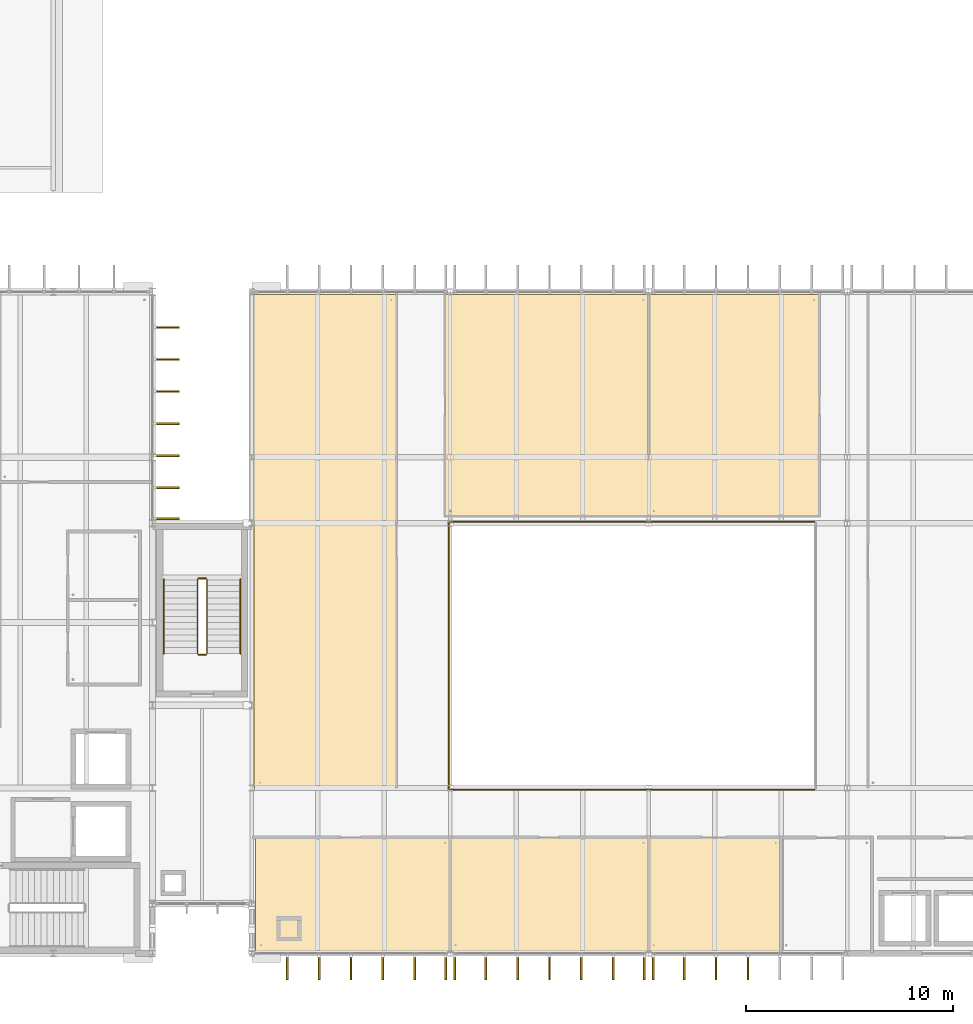
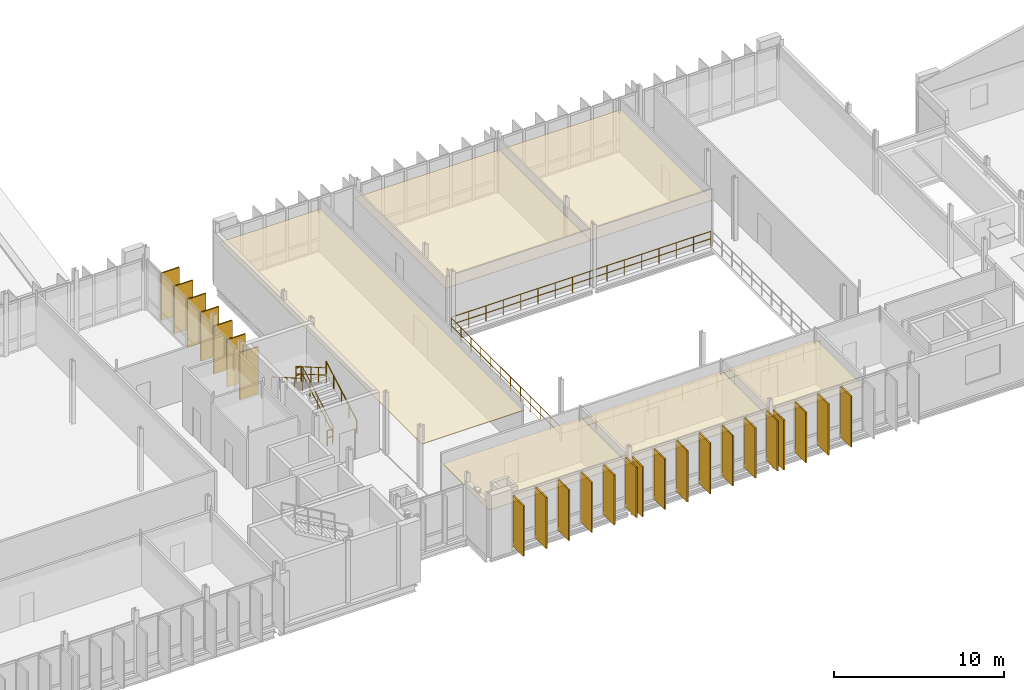
# One storey, part 56 of 59: 30 coverings, 9 railings.
"""IFC4 building model written with IfcOpenShell, lengths in metres."""

from ifc_helpers import new_model, si_unit, direction, frame, origin, origin_2d, place, context, subcontext, project, spatial, polyline, rectangle, circle, outline, extrude, material, layer, layer_set, type_object, element, save


model = new_model("IFC4")

# Units and contexts
model_context = context("Model", 3, precision=1e-05, world=origin(), true_north=direction((0.0, 1.0)))
body_context = subcontext(model_context, "Body", "Model", "MODEL_VIEW")
ifc_project = project(units=[si_unit("LENGTHUNIT", "METRE"), si_unit("AREAUNIT", "SQUARE_METRE"), si_unit("VOLUMEUNIT", "CUBIC_METRE"), si_unit("PLANEANGLEUNIT", "RADIAN"), si_unit("MASSUNIT", "GRAM", prefix="KILO")], contexts=[model_context])

# Site, building, storey
site_placement = place(None, origin())
site = spatial("IfcSite", under=ifc_project, at=site_placement, CompositionType="ELEMENT")
building_placement = place(site_placement, origin())
building = spatial("IfcBuilding", under=site, at=building_placement, Name="Dunescarp Central Library", CompositionType="ELEMENT")
storey_placement = place(building_placement, frame((0.0, 0.0, 18.60009765625)))
storey = spatial("IfcBuildingStorey", under=building, at=storey_placement, Name="L04", CompositionType="ELEMENT", Elevation=18.60009765625)

# Coverings
ifc_material_1 = material(Name="Perforated birch acoustic timber baffle", Category="wood")
ifc_layer_1 = layer(ifc_material_1, 0.050048828125)
ifc_layer_set_1 = layer_set([ifc_layer_1], Name="Perforated birch acoustic timber baffle")
covering_type_1 = type_object("IfcCoveringType", Name="ARC-COV-BAFFLE", PredefinedType="CEILING", material=ifc_layer_set_1)
covering_1_placement = place(storey_placement, frame((0.0, 0.0, 3.0498046875)))
element("IfcCovering", 1, at=covering_1_placement, inside=storey, type_object=covering_type_1, Name="L04 ceiling L04 Periodical Reading Alcove", PredefinedType="CEILING", context=body_context, shape_type="SweptSolid", body=[
    extrude(outline(polyline([(57.580078125, 4.919921875), (64.02001953125, 4.919921875), (64.02001953125, 10.419921875), (57.580078125, 10.419921875), (57.580078125, 4.919921875)])), origin(), (0.0, 0.0, 1.0), 0.050048828125),
])
covering_2_placement = place(storey_placement, frame((0.0, 0.0, 3.0498046875)))
element("IfcCovering", 2, at=covering_2_placement, inside=storey, type_object=covering_type_1, Name="L04 ceiling L04 West Stepped Reading Terrace", PredefinedType="CEILING", context=body_context, shape_type="SweptSolid", body=[
    extrude(outline(polyline([(38.52001953125, 12.780029296875), (45.419921875, 12.780029296875), (45.419921875, 36.679931640625), (38.52001953125, 36.679931640625), (38.52001953125, 12.780029296875)])), origin(), (0.0, 0.0, 1.0), 0.050048828125),
])
ifc_material_2 = material(Name="Mineral-fibre acoustic ceiling tile")
ifc_layer_2 = layer(ifc_material_2, 0.0400390625)
ifc_layer_set_2 = layer_set([ifc_layer_2], Name="Mineral-fibre acoustic ceiling tile")
covering_type_2 = type_object("IfcCoveringType", Name="ARC-COV-CEIL40", PredefinedType="CEILING", material=ifc_layer_set_2)
covering_3_placement = place(storey_placement, frame((0.0, 0.0, 3.0498046875)))
element("IfcCovering", 3, at=covering_3_placement, inside=storey, type_object=covering_type_2, Name="L04 ceiling L04 Group Study Room A", PredefinedType="CEILING", context=body_context, shape_type="SweptSolid", body=[
    extrude(outline(polyline([(38.580078125, 4.919921875), (48.02001953125, 4.919921875), (48.02001953125, 10.419921875), (38.580078125, 10.419921875), (38.580078125, 4.919921875)])), origin(), (0.0, 0.0, 1.0), 0.0400390625),
])
covering_4_placement = place(storey_placement, frame((0.0, 0.0, 3.0498046875)))
element("IfcCovering", 4, at=covering_4_placement, inside=storey, type_object=covering_type_2, Name="L04 ceiling L04 Group Study Room B", PredefinedType="CEILING", context=body_context, shape_type="SweptSolid", body=[
    extrude(outline(polyline([(47.97998046875, 4.919921875), (57.6201171875, 4.919921875), (57.6201171875, 10.419921875), (47.97998046875, 10.419921875), (47.97998046875, 4.919921875)])), origin(), (0.0, 0.0, 1.0), 0.0400390625),
])
covering_5_placement = place(storey_placement, frame((0.0, 0.0, 3.0498046875)))
element("IfcCovering", 5, at=covering_5_placement, inside=storey, type_object=covering_type_2, Name="L04 ceiling L04 North Water-Court Study Lounge West", PredefinedType="CEILING", context=body_context, shape_type="SweptSolid", body=[
    extrude(outline(polyline([(47.72998046875, 25.929931640625), (57.6201171875, 25.929931640625), (57.6201171875, 36.679931640625), (47.72998046875, 36.679931640625), (47.72998046875, 25.929931640625)])), origin(), (0.0, 0.0, 1.0), 0.0400390625),
])
covering_6_placement = place(storey_placement, frame((0.0, 0.0, 3.0498046875)))
element("IfcCovering", 6, at=covering_6_placement, inside=storey, type_object=covering_type_2, Name="L04 ceiling L04 North Water-Court Study Lounge East", PredefinedType="CEILING", context=body_context, shape_type="SweptSolid", body=[
    extrude(outline(polyline([(57.580078125, 25.929931640625), (65.8701171875, 25.929931640625), (65.8701171875, 36.679931640625), (57.580078125, 36.679931640625), (57.580078125, 25.929931640625)])), origin(), (0.0, 0.0, 1.0), 0.0400390625),
])
ifc_material_3 = material(Name="Glass-fibre reinforced concrete GRC", Category="concrete")
ifc_layer_3 = layer(ifc_material_3, 0.090087890625)
ifc_layer_set_3 = layer_set([ifc_layer_3], Name="Glass-fibre reinforced concrete GRC")
covering_type_3 = type_object("IfcCoveringType", Name="ARC-COV-FIN1250", PredefinedType="CLADDING", material=ifc_layer_set_3)
covering_7_placement = place(storey_placement, frame((34.261962890625, 35.074951171875, 0.18017578125), z_axis=(0.0, 0.0, 1.0), x_axis=(1.0, 0.0, 0.0)))
element("IfcCovering", 7, at=covering_7_placement, inside=storey, type_object=covering_type_3, Name="L04 parametric vertical facade fin FIN-L04-0208", PredefinedType="CLADDING", context=body_context, shape_type="SweptSolid", body=[
    extrude(rectangle(XDim=1.25, YDim=0.090087890625, at=origin_2d()), origin(), (0.0, 0.0, 1.0), 3.405029296875),
])
covering_8_placement = place(storey_placement, frame((34.261962890625, 33.52490234375, 0.16357421875), z_axis=(0.0, 0.0, 1.0), x_axis=(1.0, 0.0, 0.0)))
element("IfcCovering", 8, at=covering_8_placement, inside=storey, type_object=covering_type_3, Name="L04 parametric vertical facade fin FIN-L04-0209", PredefinedType="CLADDING", context=body_context, shape_type="SweptSolid", body=[
    extrude(rectangle(XDim=1.25, YDim=0.090087890625, at=origin_2d()), origin(), (0.0, 0.0, 1.0), 3.4208984375),
])
covering_9_placement = place(storey_placement, frame((34.261962890625, 31.97509765625, 0.123046875), z_axis=(0.0, 0.0, 1.0), x_axis=(1.0, 0.0, 0.0)))
element("IfcCovering", 9, at=covering_9_placement, inside=storey, type_object=covering_type_3, Name="L04 parametric vertical facade fin FIN-L04-0210", PredefinedType="CLADDING", context=body_context, shape_type="SweptSolid", body=[
    extrude(rectangle(XDim=1.25, YDim=0.090087890625, at=origin_2d()), origin(), (0.0, 0.0, 1.0), 3.4619140625),
])
covering_10_placement = place(storey_placement, frame((34.261962890625, 30.425048828125, 0.080078125), z_axis=(0.0, 0.0, 1.0), x_axis=(1.0, 0.0, 0.0)))
element("IfcCovering", 10, at=covering_10_placement, inside=storey, type_object=covering_type_3, Name="L04 parametric vertical facade fin FIN-L04-0211", PredefinedType="CLADDING", context=body_context, shape_type="SweptSolid", body=[
    extrude(rectangle(XDim=1.25, YDim=0.090087890625, at=origin_2d()), origin(), (0.0, 0.0, 1.0), 3.493896484375),
])
covering_11_placement = place(storey_placement, frame((34.261962890625, 28.875, 0.080078125), z_axis=(0.0, 0.0, 1.0), x_axis=(1.0, 0.0, 0.0)))
element("IfcCovering", 11, at=covering_11_placement, inside=storey, type_object=covering_type_3, Name="L04 parametric vertical facade fin FIN-L04-0212", PredefinedType="CLADDING", context=body_context, shape_type="SweptSolid", body=[
    extrude(rectangle(XDim=1.25, YDim=0.090087890625, at=origin_2d()), origin(), (0.0, 0.0, 1.0), 3.444091796875),
])
covering_12_placement = place(storey_placement, frame((34.261962890625, 27.324951171875, 0.08056640625), z_axis=(0.0, 0.0, 1.0), x_axis=(1.0, 0.0, 0.0)))
element("IfcCovering", 12, at=covering_12_placement, inside=storey, type_object=covering_type_3, Name="L04 parametric vertical facade fin FIN-L04-0213", PredefinedType="CLADDING", context=body_context, shape_type="SweptSolid", body=[
    extrude(rectangle(XDim=1.25, YDim=0.090087890625, at=origin_2d()), origin(), (0.0, 0.0, 1.0), 3.410888671875),
])
covering_13_placement = place(storey_placement, frame((34.261962890625, 25.81494140625, 0.07958984375), z_axis=(0.0, 0.0, 1.0), x_axis=(1.0, 0.0, 0.0)))
element("IfcCovering", 13, at=covering_13_placement, inside=storey, type_object=covering_type_3, Name="L04 parametric vertical facade fin FIN-L04-0214", PredefinedType="CLADDING", context=body_context, shape_type="SweptSolid", body=[
    extrude(rectangle(XDim=1.25, YDim=0.090087890625, at=origin_2d()), origin(), (0.0, 0.0, 1.0), 3.406982421875),
])
covering_14_placement = place(storey_placement, frame((47.784912109375, 4.137939453125, 0.1669921875), z_axis=(0.0, 0.0, 1.0), x_axis=(0.0, -1.0, 0.0)))
element("IfcCovering", 14, at=covering_14_placement, inside=storey, type_object=covering_type_3, Name="L04 parametric vertical facade fin FIN-L04-0464", PredefinedType="CLADDING", context=body_context, shape_type="SweptSolid", body=[
    extrude(rectangle(XDim=1.25, YDim=0.090087890625, at=origin_2d()), origin(), (0.0, 0.0, 1.0), 3.60791015625),
])
covering_15_placement = place(storey_placement, frame((46.282958984375, 4.137939453125, 0.18017578125), z_axis=(0.0, 0.0, 1.0), x_axis=(0.0, -1.0, 0.0)))
element("IfcCovering", 15, at=covering_15_placement, inside=storey, type_object=covering_type_3, Name="L04 parametric vertical facade fin FIN-L04-0465", PredefinedType="CLADDING", context=body_context, shape_type="SweptSolid", body=[
    extrude(rectangle(XDim=1.25, YDim=0.090087890625, at=origin_2d()), origin(), (0.0, 0.0, 1.0), 3.594970703125),
])
covering_16_placement = place(storey_placement, frame((44.741943359375, 4.137939453125, 0.16357421875), z_axis=(0.0, 0.0, 1.0), x_axis=(0.0, -1.0, 0.0)))
element("IfcCovering", 16, at=covering_16_placement, inside=storey, type_object=covering_type_3, Name="L04 parametric vertical facade fin FIN-L04-0466", PredefinedType="CLADDING", context=body_context, shape_type="SweptSolid", body=[
    extrude(rectangle(XDim=1.25, YDim=0.090087890625, at=origin_2d()), origin(), (0.0, 0.0, 1.0), 3.611083984375),
])
covering_17_placement = place(storey_placement, frame((43.199951171875, 4.137939453125, 0.123046875), z_axis=(0.0, 0.0, 1.0), x_axis=(0.0, -1.0, 0.0)))
element("IfcCovering", 17, at=covering_17_placement, inside=storey, type_object=covering_type_3, Name="L04 parametric vertical facade fin FIN-L04-0467", PredefinedType="CLADDING", context=body_context, shape_type="SweptSolid", body=[
    extrude(rectangle(XDim=1.25, YDim=0.090087890625, at=origin_2d()), origin(), (0.0, 0.0, 1.0), 3.652099609375),
])
covering_18_placement = place(storey_placement, frame((41.657958984375, 4.137939453125, 0.079833984375), z_axis=(0.0, 0.0, 1.0), x_axis=(0.0, -1.0, 0.0)))
element("IfcCovering", 18, at=covering_18_placement, inside=storey, type_object=covering_type_3, Name="L04 parametric vertical facade fin FIN-L04-0468", PredefinedType="CLADDING", context=body_context, shape_type="SweptSolid", body=[
    extrude(rectangle(XDim=1.25, YDim=0.090087890625, at=origin_2d()), origin(), (0.0, 0.0, 1.0), 3.68408203125),
])
covering_19_placement = place(storey_placement, frame((40.116943359375, 4.137939453125, 0.080078125), z_axis=(0.0, 0.0, 1.0), x_axis=(0.0, -1.0, 0.0)))
element("IfcCovering", 19, at=covering_19_placement, inside=storey, type_object=covering_type_3, Name="L04 parametric vertical facade fin FIN-L04-0469", PredefinedType="CLADDING", context=body_context, shape_type="SweptSolid", body=[
    extrude(rectangle(XDim=1.25, YDim=0.090087890625, at=origin_2d()), origin(), (0.0, 0.0, 1.0), 3.634033203125),
])
covering_20_placement = place(storey_placement, frame((57.385009765625, 4.137939453125, 0.1669921875), z_axis=(0.0, 0.0, 1.0), x_axis=(0.0, -1.0, 0.0)))
element("IfcCovering", 20, at=covering_20_placement, inside=storey, type_object=covering_type_3, Name="L04 parametric vertical facade fin FIN-L04-0470", PredefinedType="CLADDING", context=body_context, shape_type="SweptSolid", body=[
    extrude(rectangle(XDim=1.25, YDim=0.090087890625, at=origin_2d()), origin(), (0.0, 0.0, 1.0), 3.60791015625),
])
covering_21_placement = place(storey_placement, frame((55.883056640625, 4.137939453125, 0.18017578125), z_axis=(0.0, 0.0, 1.0), x_axis=(0.0, -1.0, 0.0)))
element("IfcCovering", 21, at=covering_21_placement, inside=storey, type_object=covering_type_3, Name="L04 parametric vertical facade fin FIN-L04-0471", PredefinedType="CLADDING", context=body_context, shape_type="SweptSolid", body=[
    extrude(rectangle(XDim=1.25, YDim=0.090087890625, at=origin_2d()), origin(), (0.0, 0.0, 1.0), 3.594970703125),
])
covering_22_placement = place(storey_placement, frame((54.342041015625, 4.137939453125, 0.16357421875), z_axis=(0.0, 0.0, 1.0), x_axis=(0.0, -1.0, 0.0)))
element("IfcCovering", 22, at=covering_22_placement, inside=storey, type_object=covering_type_3, Name="L04 parametric vertical facade fin FIN-L04-0472", PredefinedType="CLADDING", context=body_context, shape_type="SweptSolid", body=[
    extrude(rectangle(XDim=1.25, YDim=0.090087890625, at=origin_2d()), origin(), (0.0, 0.0, 1.0), 3.611083984375),
])
covering_23_placement = place(storey_placement, frame((52.800048828125, 4.137939453125, 0.123046875), z_axis=(0.0, 0.0, 1.0), x_axis=(0.0, -1.0, 0.0)))
element("IfcCovering", 23, at=covering_23_placement, inside=storey, type_object=covering_type_3, Name="L04 parametric vertical facade fin FIN-L04-0473", PredefinedType="CLADDING", context=body_context, shape_type="SweptSolid", body=[
    extrude(rectangle(XDim=1.25, YDim=0.090087890625, at=origin_2d()), origin(), (0.0, 0.0, 1.0), 3.652099609375),
])
covering_24_placement = place(storey_placement, frame((51.258056640625, 4.137939453125, 0.079833984375), z_axis=(0.0, 0.0, 1.0), x_axis=(0.0, -1.0, 0.0)))
element("IfcCovering", 24, at=covering_24_placement, inside=storey, type_object=covering_type_3, Name="L04 parametric vertical facade fin FIN-L04-0474", PredefinedType="CLADDING", context=body_context, shape_type="SweptSolid", body=[
    extrude(rectangle(XDim=1.25, YDim=0.090087890625, at=origin_2d()), origin(), (0.0, 0.0, 1.0), 3.68408203125),
])
covering_25_placement = place(storey_placement, frame((49.717041015625, 4.137939453125, 0.080078125), z_axis=(0.0, 0.0, 1.0), x_axis=(0.0, -1.0, 0.0)))
element("IfcCovering", 25, at=covering_25_placement, inside=storey, type_object=covering_type_3, Name="L04 parametric vertical facade fin FIN-L04-0475", PredefinedType="CLADDING", context=body_context, shape_type="SweptSolid", body=[
    extrude(rectangle(XDim=1.25, YDim=0.090087890625, at=origin_2d()), origin(), (0.0, 0.0, 1.0), 3.634033203125),
])
covering_26_placement = place(storey_placement, frame((48.215087890625, 4.137939453125, 0.079345703125), z_axis=(0.0, 0.0, 1.0), x_axis=(0.0, -1.0, 0.0)))
element("IfcCovering", 26, at=covering_26_placement, inside=storey, type_object=covering_type_3, Name="L04 parametric vertical facade fin FIN-L04-0476", PredefinedType="CLADDING", context=body_context, shape_type="SweptSolid", body=[
    extrude(rectangle(XDim=1.25, YDim=0.090087890625, at=origin_2d()), origin(), (0.0, 0.0, 1.0), 3.60107421875),
])
covering_27_placement = place(storey_placement, frame((62.39990234375, 4.137939453125, 0.123046875), z_axis=(0.0, 0.0, 1.0), x_axis=(0.0, -1.0, 0.0)))
element("IfcCovering", 27, at=covering_27_placement, inside=storey, type_object=covering_type_3, Name="L04 parametric vertical facade fin FIN-L04-0480", PredefinedType="CLADDING", context=body_context, shape_type="SweptSolid", body=[
    extrude(rectangle(XDim=1.25, YDim=0.090087890625, at=origin_2d()), origin(), (0.0, 0.0, 1.0), 3.652099609375),
])
covering_28_placement = place(storey_placement, frame((60.85791015625, 4.137939453125, 0.079833984375), z_axis=(0.0, 0.0, 1.0), x_axis=(0.0, -1.0, 0.0)))
element("IfcCovering", 28, at=covering_28_placement, inside=storey, type_object=covering_type_3, Name="L04 parametric vertical facade fin FIN-L04-0481", PredefinedType="CLADDING", context=body_context, shape_type="SweptSolid", body=[
    extrude(rectangle(XDim=1.25, YDim=0.090087890625, at=origin_2d()), origin(), (0.0, 0.0, 1.0), 3.68408203125),
])
covering_29_placement = place(storey_placement, frame((59.31689453125, 4.137939453125, 0.080078125), z_axis=(0.0, 0.0, 1.0), x_axis=(0.0, -1.0, 0.0)))
element("IfcCovering", 29, at=covering_29_placement, inside=storey, type_object=covering_type_3, Name="L04 parametric vertical facade fin FIN-L04-0482", PredefinedType="CLADDING", context=body_context, shape_type="SweptSolid", body=[
    extrude(rectangle(XDim=1.25, YDim=0.090087890625, at=origin_2d()), origin(), (0.0, 0.0, 1.0), 3.634033203125),
])
covering_30_placement = place(storey_placement, frame((57.81494140625, 4.137939453125, 0.079345703125), z_axis=(0.0, 0.0, 1.0), x_axis=(0.0, -1.0, 0.0)))
element("IfcCovering", 30, at=covering_30_placement, inside=storey, type_object=covering_type_3, Name="L04 parametric vertical facade fin FIN-L04-0483", PredefinedType="CLADDING", context=body_context, shape_type="SweptSolid", body=[
    extrude(rectangle(XDim=1.25, YDim=0.090087890625, at=origin_2d()), origin(), (0.0, 0.0, 1.0), 3.60107421875),
])

# Railings
ifc_material_4 = material(Name="Stainless steel Grade 316L", Category="steel")
railing_type_1 = type_object("IfcRailingType", Name="ARC-RL-GUARD", PredefinedType="GUARDRAIL", material=ifc_material_4)
railing_1_placement = place(storey_placement, frame((36.22998046875, 19.300048828125, 0.173095703125)))
element("IfcRailing", 31, at=railing_1_placement, inside=storey, type_object=railing_type_1, Name="L04 ST-2 stair guard 1", PredefinedType="GUARDRAIL", context=body_context, shape_type="SweptSolid", body=[
    extrude(circle(Radius=0.02392578125, at=origin_2d()), frame((0.0, 0.0, 1.076171875), z_axis=(0.0, 0.866178740119, 0.499734319579), x_axis=(-1.0, 0.0, 0.0)), (0.0, 0.0, 1.0), 4.156005859375),
    extrude(circle(Radius=0.02392578125, at=origin_2d()), frame((0.0, 0.0, 0.550048828125), z_axis=(0.0, 0.866178740119, 0.499734319579), x_axis=(-1.0, 0.0, 0.0)), (0.0, 0.0, 1.0), 4.156005859375),
    extrude(circle(Radius=0.02099609375, at=origin_2d()), origin(), (0.0, 0.0, 1.0), 1.052001953125),
    extrude(circle(Radius=0.02099609375, at=origin_2d()), frame((0.0, 0.89990234375, 0.519287109375)), (0.0, 0.0, 1.0), 1.052001953125),
    extrude(circle(Radius=0.02099609375, at=origin_2d()), frame((0.0, 1.7998046875, 1.03857421875)), (0.0, 0.0, 1.0), 1.052001953125),
    extrude(circle(Radius=0.02099609375, at=origin_2d()), frame((0.0, 2.699951171875, 1.5576171875)), (0.0, 0.0, 1.0), 1.052001953125),
    extrude(circle(Radius=0.02099609375, at=origin_2d()), frame((0.0, 3.599853515625, 2.076904296875)), (0.0, 0.0, 1.0), 1.052001953125),
])
railing_2_placement = place(storey_placement, frame((36.179931640625, 22.949951171875, 2.25)))
element("IfcRailing", 32, at=railing_2_placement, inside=storey, type_object=railing_type_1, Name="L04 ST-2 stair guard 2", PredefinedType="GUARDRAIL", context=body_context, shape_type="SweptSolid", body=[
    extrude(circle(Radius=0.02392578125, at=origin_2d()), frame((0.0, 0.0, 1.076171875), z_axis=(-1.0, 0.0, 0.0), x_axis=(0.0, -1.0, 0.0)), (0.0, 0.0, 1.0), 0.35986328125),
    extrude(circle(Radius=0.02392578125, at=origin_2d()), frame((0.0, 0.0, 0.550048828125), z_axis=(-1.0, 0.0, 0.0), x_axis=(0.0, -1.0, 0.0)), (0.0, 0.0, 1.0), 0.35986328125),
    extrude(circle(Radius=0.02099609375, at=origin_2d()), origin(), (0.0, 0.0, 1.0), 1.052001953125),
    extrude(circle(Radius=0.02099609375, at=origin_2d()), frame((-0.35986328125, 0.0, 0.0)), (0.0, 0.0, 1.0), 1.052001953125),
])
railing_3_placement = place(storey_placement, frame((35.77001953125, 22.89990234375, 2.423095703125)))
element("IfcRailing", 33, at=railing_3_placement, inside=storey, type_object=railing_type_1, Name="L04 ST-2 stair guard 3", PredefinedType="GUARDRAIL", context=body_context, shape_type="SweptSolid", body=[
    extrude(circle(Radius=0.02392578125, at=origin_2d()), frame((0.0, 0.0, 1.076171875), z_axis=(0.0, -0.866178740119, 0.499734319579), x_axis=(1.0, 0.0, 0.0)), (0.0, 0.0, 1.0), 4.156005859375),
    extrude(circle(Radius=0.02392578125, at=origin_2d()), frame((0.0, 0.0, 0.550048828125), z_axis=(0.0, -0.866178740119, 0.499734319579), x_axis=(1.0, 0.0, 0.0)), (0.0, 0.0, 1.0), 4.156005859375),
    extrude(circle(Radius=0.02099609375, at=origin_2d()), origin(), (0.0, 0.0, 1.0), 1.052001953125),
    extrude(circle(Radius=0.02099609375, at=origin_2d()), frame((0.0, -0.89990234375, 0.519287109375)), (0.0, 0.0, 1.0), 1.052001953125),
    extrude(circle(Radius=0.02099609375, at=origin_2d()), frame((0.0, -1.7998046875, 1.03857421875)), (0.0, 0.0, 1.0), 1.052001953125),
    extrude(circle(Radius=0.02099609375, at=origin_2d()), frame((0.0, -2.699951171875, 1.5576171875)), (0.0, 0.0, 1.0), 1.052001953125),
    extrude(circle(Radius=0.02099609375, at=origin_2d()), frame((0.0, -3.599853515625, 2.076904296875)), (0.0, 0.0, 1.0), 1.052001953125),
])
railing_4_placement = place(storey_placement, frame((36.179931640625, 19.25, 0.0)))
element("IfcRailing", 34, at=railing_4_placement, inside=storey, type_object=railing_type_1, Name="L04 ST-2 stair guard 4", PredefinedType="GUARDRAIL", context=body_context, shape_type="SweptSolid", body=[
    extrude(circle(Radius=0.02392578125, at=origin_2d()), frame((0.0, 0.0, 1.076171875), z_axis=(-1.0, 0.0, 0.0), x_axis=(0.0, -1.0, 0.0)), (0.0, 0.0, 1.0), 0.35986328125),
    extrude(circle(Radius=0.02392578125, at=origin_2d()), frame((0.0, 0.0, 0.550048828125), z_axis=(-1.0, 0.0, 0.0), x_axis=(0.0, -1.0, 0.0)), (0.0, 0.0, 1.0), 0.35986328125),
    extrude(circle(Radius=0.02099609375, at=origin_2d()), origin(), (0.0, 0.0, 1.0), 1.052001953125),
    extrude(circle(Radius=0.02099609375, at=origin_2d()), frame((-0.35986328125, 0.0, 0.0)), (0.0, 0.0, 1.0), 1.052001953125),
])
railing_5_placement = place(storey_placement, frame((47.97998046875, 12.719970703125, 0.0)))
element("IfcRailing", 35, at=railing_5_placement, inside=storey, type_object=railing_type_1, Name="L04 void guardrail GRD-ATR-L04-S", PredefinedType="GUARDRAIL", context=body_context, shape_type="SweptSolid", body=[
    extrude(circle(Radius=0.02392578125, at=origin_2d()), frame((0.0, 0.0, 1.076171875), z_axis=(1.0, 0.0, 0.0), x_axis=(0.0, 1.0, 0.0)), (0.0, 0.0, 1.0), 17.64013671875),
    extrude(circle(Radius=0.02392578125, at=origin_2d()), frame((0.0, 0.0, 0.550048828125), z_axis=(1.0, 0.0, 0.0), x_axis=(0.0, 1.0, 0.0)), (0.0, 0.0, 1.0), 17.64013671875),
    extrude(circle(Radius=0.02099609375, at=origin_2d()), origin(), (0.0, 0.0, 1.0), 1.052001953125),
    extrude(circle(Radius=0.02099609375, at=origin_2d()), frame((1.176025390625, 0.0, 0.0)), (0.0, 0.0, 1.0), 1.052001953125),
    extrude(circle(Radius=0.02099609375, at=origin_2d()), frame((2.35205078125, 0.0, 0.0)), (0.0, 0.0, 1.0), 1.052001953125),
    extrude(circle(Radius=0.02099609375, at=origin_2d()), frame((3.528076171875, 0.0, 0.0)), (0.0, 0.0, 1.0), 1.052001953125),
    extrude(circle(Radius=0.02099609375, at=origin_2d()), frame((4.7041015625, 0.0, 0.0)), (0.0, 0.0, 1.0), 1.052001953125),
    extrude(circle(Radius=0.02099609375, at=origin_2d()), frame((5.880126953125, 0.0, 0.0)), (0.0, 0.0, 1.0), 1.052001953125),
    extrude(circle(Radius=0.02099609375, at=origin_2d()), frame((7.05615234375, 0.0, 0.0)), (0.0, 0.0, 1.0), 1.052001953125),
    extrude(circle(Radius=0.02099609375, at=origin_2d()), frame((8.232177734375, 0.0, 0.0)), (0.0, 0.0, 1.0), 1.052001953125),
    extrude(circle(Radius=0.02099609375, at=origin_2d()), frame((9.407958984375, 0.0, 0.0)), (0.0, 0.0, 1.0), 1.052001953125),
    extrude(circle(Radius=0.02099609375, at=origin_2d()), frame((10.583984375, 0.0, 0.0)), (0.0, 0.0, 1.0), 1.052001953125),
    extrude(circle(Radius=0.02099609375, at=origin_2d()), frame((11.760009765625, 0.0, 0.0)), (0.0, 0.0, 1.0), 1.052001953125),
    extrude(circle(Radius=0.02099609375, at=origin_2d()), frame((12.93603515625, 0.0, 0.0)), (0.0, 0.0, 1.0), 1.052001953125),
    extrude(circle(Radius=0.02099609375, at=origin_2d()), frame((14.112060546875, 0.0, 0.0)), (0.0, 0.0, 1.0), 1.052001953125),
    extrude(circle(Radius=0.02099609375, at=origin_2d()), frame((15.2880859375, 0.0, 0.0)), (0.0, 0.0, 1.0), 1.052001953125),
    extrude(circle(Radius=0.02099609375, at=origin_2d()), frame((16.464111328125, 0.0, 0.0)), (0.0, 0.0, 1.0), 1.052001953125),
    extrude(circle(Radius=0.02099609375, at=origin_2d()), frame((17.64013671875, 0.0, 0.0)), (0.0, 0.0, 1.0), 1.052001953125),
])
railing_6_placement = place(storey_placement, frame((65.6201171875, 25.679931640625, 0.0)))
element("IfcRailing", 36, at=railing_6_placement, inside=storey, type_object=railing_type_1, Name="L04 void guardrail GRD-ATR-L04-N", PredefinedType="GUARDRAIL", context=body_context, shape_type="SweptSolid", body=[
    extrude(circle(Radius=0.02392578125, at=origin_2d()), frame((0.0, 0.0, 1.076171875), z_axis=(-1.0, 0.0, 0.0), x_axis=(0.0, -1.0, 0.0)), (0.0, 0.0, 1.0), 17.64013671875),
    extrude(circle(Radius=0.02392578125, at=origin_2d()), frame((0.0, 0.0, 0.550048828125), z_axis=(-1.0, 0.0, 0.0), x_axis=(0.0, -1.0, 0.0)), (0.0, 0.0, 1.0), 17.64013671875),
    extrude(circle(Radius=0.02099609375, at=origin_2d()), origin(), (0.0, 0.0, 1.0), 1.052001953125),
    extrude(circle(Radius=0.02099609375, at=origin_2d()), frame((-1.176025390625, 0.0, 0.0)), (0.0, 0.0, 1.0), 1.052001953125),
    extrude(circle(Radius=0.02099609375, at=origin_2d()), frame((-2.35205078125, 0.0, 0.0)), (0.0, 0.0, 1.0), 1.052001953125),
    extrude(circle(Radius=0.02099609375, at=origin_2d()), frame((-3.528076171875, 0.0, 0.0)), (0.0, 0.0, 1.0), 1.052001953125),
    extrude(circle(Radius=0.02099609375, at=origin_2d()), frame((-4.7041015625, 0.0, 0.0)), (0.0, 0.0, 1.0), 1.052001953125),
    extrude(circle(Radius=0.02099609375, at=origin_2d()), frame((-5.880126953125, 0.0, 0.0)), (0.0, 0.0, 1.0), 1.052001953125),
    extrude(circle(Radius=0.02099609375, at=origin_2d()), frame((-7.05615234375, 0.0, 0.0)), (0.0, 0.0, 1.0), 1.052001953125),
    extrude(circle(Radius=0.02099609375, at=origin_2d()), frame((-8.232177734375, 0.0, 0.0)), (0.0, 0.0, 1.0), 1.052001953125),
    extrude(circle(Radius=0.02099609375, at=origin_2d()), frame((-9.407958984375, 0.0, 0.0)), (0.0, 0.0, 1.0), 1.052001953125),
    extrude(circle(Radius=0.02099609375, at=origin_2d()), frame((-10.583984375, 0.0, 0.0)), (0.0, 0.0, 1.0), 1.052001953125),
    extrude(circle(Radius=0.02099609375, at=origin_2d()), frame((-11.760009765625, 0.0, 0.0)), (0.0, 0.0, 1.0), 1.052001953125),
    extrude(circle(Radius=0.02099609375, at=origin_2d()), frame((-12.93603515625, 0.0, 0.0)), (0.0, 0.0, 1.0), 1.052001953125),
    extrude(circle(Radius=0.02099609375, at=origin_2d()), frame((-14.112060546875, 0.0, 0.0)), (0.0, 0.0, 1.0), 1.052001953125),
    extrude(circle(Radius=0.02099609375, at=origin_2d()), frame((-15.2880859375, 0.0, 0.0)), (0.0, 0.0, 1.0), 1.052001953125),
    extrude(circle(Radius=0.02099609375, at=origin_2d()), frame((-16.464111328125, 0.0, 0.0)), (0.0, 0.0, 1.0), 1.052001953125),
    extrude(circle(Radius=0.02099609375, at=origin_2d()), frame((-17.64013671875, 0.0, 0.0)), (0.0, 0.0, 1.0), 1.052001953125),
])
railing_7_placement = place(storey_placement, frame((47.919921875, 25.6201171875, 0.0)))
element("IfcRailing", 37, at=railing_7_placement, inside=storey, type_object=railing_type_1, Name="L04 void guardrail GRD-ATR-L04-W", PredefinedType="GUARDRAIL", context=body_context, shape_type="SweptSolid", body=[
    extrude(circle(Radius=0.02392578125, at=origin_2d()), frame((0.0, 0.0, 1.076171875), z_axis=(0.0, -1.0, 0.0), x_axis=(1.0, 0.0, 0.0)), (0.0, 0.0, 1.0), 12.840087890625),
    extrude(circle(Radius=0.02392578125, at=origin_2d()), frame((0.0, 0.0, 0.550048828125), z_axis=(0.0, -1.0, 0.0), x_axis=(1.0, 0.0, 0.0)), (0.0, 0.0, 1.0), 12.840087890625),
    extrude(circle(Radius=0.02099609375, at=origin_2d()), origin(), (0.0, 0.0, 1.0), 1.052001953125),
    extrude(circle(Radius=0.02099609375, at=origin_2d()), frame((0.0, -1.167236328125, 0.0)), (0.0, 0.0, 1.0), 1.052001953125),
    extrude(circle(Radius=0.02099609375, at=origin_2d()), frame((0.0, -2.33447265625, 0.0)), (0.0, 0.0, 1.0), 1.052001953125),
    extrude(circle(Radius=0.02099609375, at=origin_2d()), frame((0.0, -3.501953125, 0.0)), (0.0, 0.0, 1.0), 1.052001953125),
    extrude(circle(Radius=0.02099609375, at=origin_2d()), frame((0.0, -4.669189453125, 0.0)), (0.0, 0.0, 1.0), 1.052001953125),
    extrude(circle(Radius=0.02099609375, at=origin_2d()), frame((0.0, -5.83642578125, 0.0)), (0.0, 0.0, 1.0), 1.052001953125),
    extrude(circle(Radius=0.02099609375, at=origin_2d()), frame((0.0, -7.003662109375, 0.0)), (0.0, 0.0, 1.0), 1.052001953125),
    extrude(circle(Radius=0.02099609375, at=origin_2d()), frame((0.0, -8.1708984375, 0.0)), (0.0, 0.0, 1.0), 1.052001953125),
    extrude(circle(Radius=0.02099609375, at=origin_2d()), frame((0.0, -9.338134765625, 0.0)), (0.0, 0.0, 1.0), 1.052001953125),
    extrude(circle(Radius=0.02099609375, at=origin_2d()), frame((0.0, -10.505615234375, 0.0)), (0.0, 0.0, 1.0), 1.052001953125),
    extrude(circle(Radius=0.02099609375, at=origin_2d()), frame((0.0, -11.6728515625, 0.0)), (0.0, 0.0, 1.0), 1.052001953125),
    extrude(circle(Radius=0.02099609375, at=origin_2d()), frame((0.0, -12.840087890625, 0.0)), (0.0, 0.0, 1.0), 1.052001953125),
])
railing_type_2 = type_object("IfcRailingType", Name="ARC-RL-HAND", PredefinedType="HANDRAIL", material=ifc_material_4)
railing_8_placement = place(storey_placement, frame((37.85009765625, 19.300048828125, 0.173095703125)))
element("IfcRailing", 38, at=railing_8_placement, inside=storey, type_object=railing_type_2, Name="L04 ST-2 stair handrail 1", PredefinedType="HANDRAIL", context=body_context, shape_type="SweptSolid", body=[
    extrude(circle(Radius=0.02392578125, at=origin_2d()), frame((0.0, 0.0, 0.8857421875), z_axis=(0.0, 0.866178740119, 0.499734319579), x_axis=(-1.0, 0.0, 0.0)), (0.0, 0.0, 1.0), 4.156005859375),
    extrude(circle(Radius=0.02099609375, at=origin_2d()), origin(), (0.0, 0.0, 1.0), 0.86181640625),
    extrude(circle(Radius=0.02099609375, at=origin_2d()), frame((0.0, 0.89990234375, 0.519287109375)), (0.0, 0.0, 1.0), 0.86181640625),
    extrude(circle(Radius=0.02099609375, at=origin_2d()), frame((0.0, 1.7998046875, 1.03857421875)), (0.0, 0.0, 1.0), 0.86181640625),
    extrude(circle(Radius=0.02099609375, at=origin_2d()), frame((0.0, 2.699951171875, 1.5576171875)), (0.0, 0.0, 1.0), 0.86181640625),
    extrude(circle(Radius=0.02099609375, at=origin_2d()), frame((0.0, 3.599853515625, 2.076904296875)), (0.0, 0.0, 1.0), 0.86181640625),
])
railing_9_placement = place(storey_placement, frame((34.14990234375, 22.89990234375, 2.423095703125)))
element("IfcRailing", 39, at=railing_9_placement, inside=storey, type_object=railing_type_2, Name="L04 ST-2 stair handrail 2", PredefinedType="HANDRAIL", context=body_context, shape_type="SweptSolid", body=[
    extrude(circle(Radius=0.02392578125, at=origin_2d()), frame((0.0, 0.0, 0.8857421875), z_axis=(0.0, -0.866178740119, 0.499734319579), x_axis=(1.0, 0.0, 0.0)), (0.0, 0.0, 1.0), 4.156005859375),
    extrude(circle(Radius=0.02099609375, at=origin_2d()), origin(), (0.0, 0.0, 1.0), 0.86181640625),
    extrude(circle(Radius=0.02099609375, at=origin_2d()), frame((0.0, -0.89990234375, 0.519287109375)), (0.0, 0.0, 1.0), 0.86181640625),
    extrude(circle(Radius=0.02099609375, at=origin_2d()), frame((0.0, -1.7998046875, 1.03857421875)), (0.0, 0.0, 1.0), 0.86181640625),
    extrude(circle(Radius=0.02099609375, at=origin_2d()), frame((0.0, -2.699951171875, 1.5576171875)), (0.0, 0.0, 1.0), 0.86181640625),
    extrude(circle(Radius=0.02099609375, at=origin_2d()), frame((0.0, -3.599853515625, 2.076904296875)), (0.0, 0.0, 1.0), 0.86181640625),
])

save(model, "model.ifc")
